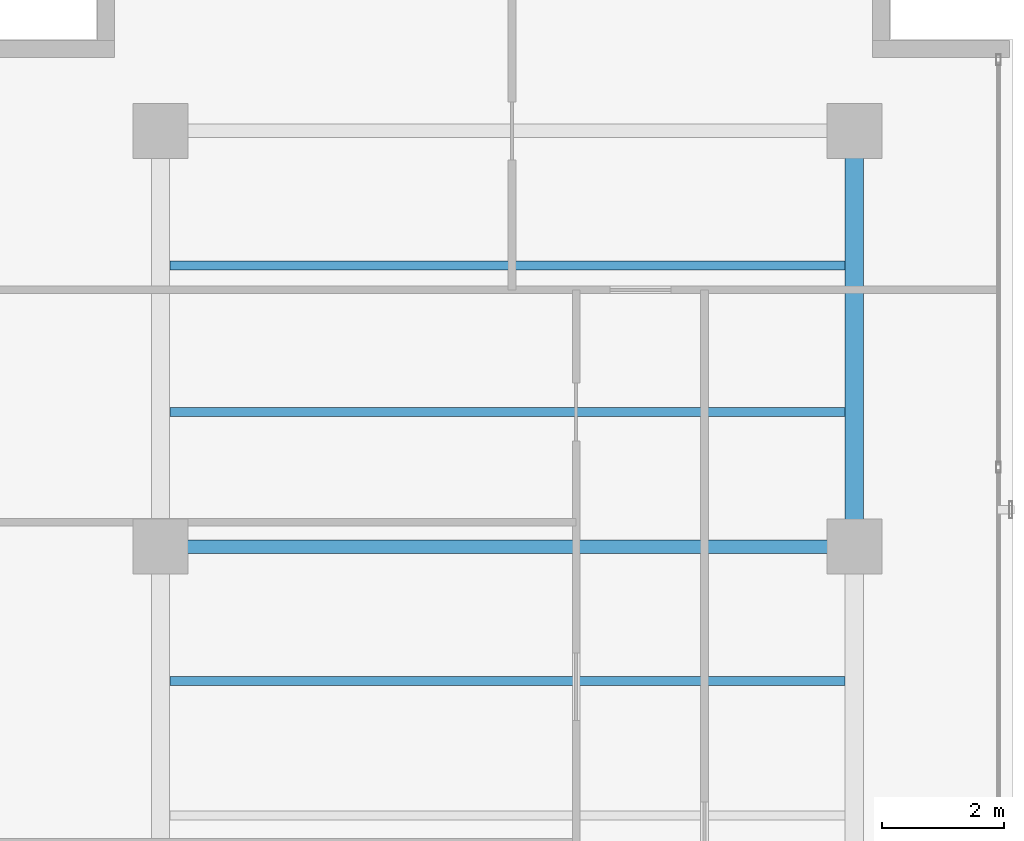
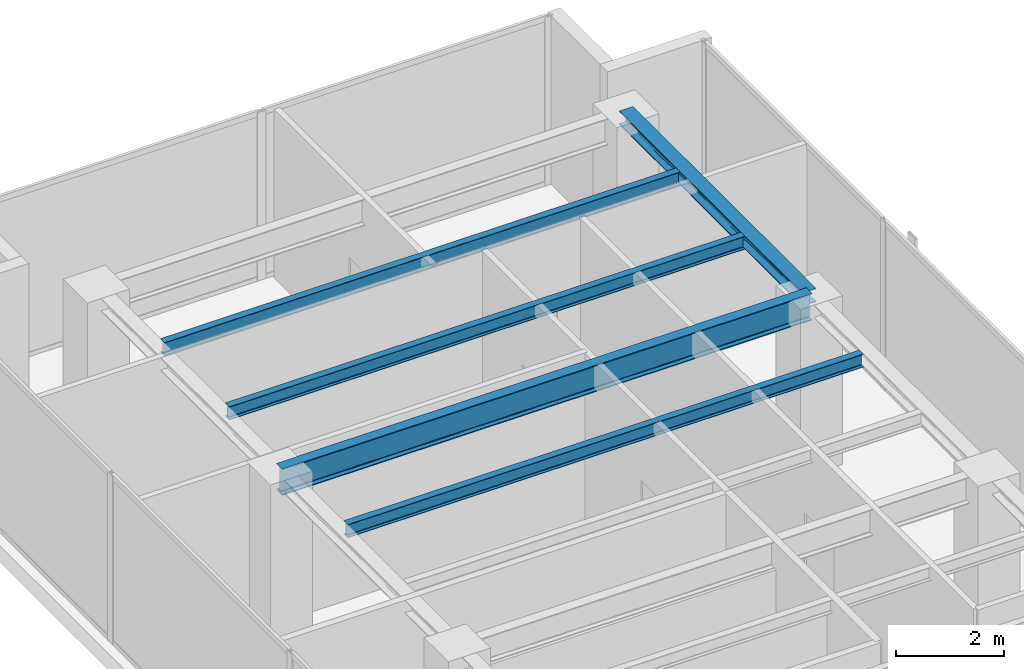
# One storey, part 21 of 32: 5 beams.
"""IFC4 building model written with IfcOpenShell, lengths in metres."""

from ifc_helpers import new_model, si_unit, direction, frame, origin, origin_2d, place, context, subcontext, project, spatial, i_section, extrude, material, material_profile, profile_set, type_object, element, save


model = new_model("IFC4")

# Units and contexts
model_context = context("Model", 3, precision=1e-05, world=origin(), true_north=direction((0.0, 1.0)))
body_context = subcontext(model_context, "Body", "Model", "MODEL_VIEW")
ifc_project = project(units=[si_unit("LENGTHUNIT", "METRE"), si_unit("AREAUNIT", "SQUARE_METRE"), si_unit("VOLUMEUNIT", "CUBIC_METRE"), si_unit("PLANEANGLEUNIT", "RADIAN"), si_unit("MASSUNIT", "GRAM", prefix="KILO")], contexts=[model_context])

# Site, building, storey
site_placement = place(None, origin())
site = spatial("IfcSite", under=ifc_project, at=site_placement, CompositionType="ELEMENT")
building_placement = place(site_placement, origin())
building = spatial("IfcBuilding", under=site, at=building_placement, Name="Kolvaren Waterfront Exchange", CompositionType="ELEMENT")
storey_placement = place(building_placement, frame((0.0, 0.0, 352.0)))
storey = spatial("IfcBuildingStorey", under=building, at=storey_placement, Name="L90", CompositionType="ELEMENT", Elevation=352.0)

# Beams
ifc_material = material(Name="Steel S355", Category="steel")
ifc_material_profile_1 = material_profile(ifc_material, i_section(OverallWidth=0.300048828125, OverallDepth=0.300048828125, WebThickness=0.010986328125, FlangeThickness=0.01904296875, FilletRadius=0.027099609375, at=origin_2d()), Name="HEB300")
ifc_profile_set_1 = profile_set([ifc_material_profile_1], Name="Steel S355")
beam_type_1 = type_object("IfcBeamType", Name="STR-BM-HEB300", PredefinedType="SPANDREL", material=ifc_profile_set_1)
beam_1_placement = place(storey_placement, frame((18.800048828125, 37.800048828125, 3.669921875), z_axis=(0.0, 1.0, 0.0), x_axis=(-1.0, 0.0, 0.0)))
element("IfcBeam", 1, at=beam_1_placement, inside=storey, type_object=beam_type_1, Name="L90 north-arm edge beam 3", PredefinedType="SPANDREL", context=body_context, shape_type="SweptSolid", body=[
    extrude(i_section(OverallWidth=0.300048828125, OverallDepth=0.300048828125, WebThickness=0.010986328125, FlangeThickness=0.01904296875, FilletRadius=0.027099609375, at=origin_2d()), origin(), (0.0, 0.0, 1.0), 6.800048828125),
])
ifc_material_profile_2 = material_profile(ifc_material, i_section(OverallWidth=0.14990234375, OverallDepth=0.300048828125, WebThickness=0.007080078125, FlangeThickness=0.0107421875, FilletRadius=0.014892578125, at=origin_2d()), Name="IPE300")
ifc_profile_set_2 = profile_set([ifc_material_profile_2], Name="Steel S355")
beam_type_2 = type_object("IfcBeamType", Name="STR-BM-IPE300", PredefinedType="JOIST", material=ifc_profile_set_2)
for number, where, z_axis, x_axis, name in (
    (2, (7.60205078125, 35.60009765625, 3.669921875), (1.0, 0.0, 0.0), (0.0, 1.0, 0.0), "L90 north-arm composite joist 4"),
    (3, (7.60205078125, 40.0, 3.669921875), (1.0, 0.0, 0.0), (0.0, 1.0, 0.0), "L90 north-arm composite joist 5"),
    (4, (7.60205078125, 42.39990234375, 3.669921875), (1.0, 0.0, 0.0), (0.0, 1.0, 0.0), "L90 north-arm composite joist 6"),
):
    element("IfcBeam", number, at=place(storey_placement, frame(where, z_axis=z_axis, x_axis=x_axis)), inside=storey, type_object=beam_type_2, Name=name, PredefinedType="JOIST", context=body_context, shape_type="SweptSolid", body=[
        extrude(i_section(OverallWidth=0.14990234375, OverallDepth=0.300048828125, WebThickness=0.007080078125, FlangeThickness=0.0107421875, FilletRadius=0.014892578125, at=origin_2d()), origin(), (0.0, 0.0, 1.0), 11.0458984375),
    ])
ifc_material_profile_3 = material_profile(ifc_material, i_section(OverallWidth=0.219970703125, OverallDepth=0.60009765625, WebThickness=0.011962890625, FlangeThickness=0.01904296875, FilletRadius=0.02392578125, at=origin_2d()), Name="IPE600")
ifc_profile_set_3 = profile_set([ifc_material_profile_3], Name="Steel S355")
beam_type_3 = type_object("IfcBeamType", Name="STR-BM-IPE600", PredefinedType="BEAM", material=ifc_profile_set_3)
beam_2_placement = place(storey_placement, frame((7.449951171875, 37.800048828125, 3.52001953125), z_axis=(1.0, 0.0, 0.0), x_axis=(0.0, 1.0, 0.0)))
element("IfcBeam", 5, at=beam_2_placement, inside=storey, type_object=beam_type_3, Name="L90 north-arm girder 3", PredefinedType="BEAM", context=body_context, shape_type="SweptSolid", body=[
    extrude(i_section(OverallWidth=0.219970703125, OverallDepth=0.60009765625, WebThickness=0.011962890625, FlangeThickness=0.01904296875, FilletRadius=0.02392578125, at=origin_2d()), origin(), (0.0, 0.0, 1.0), 11.35009765625),
])

save(model, "model.ifc")
